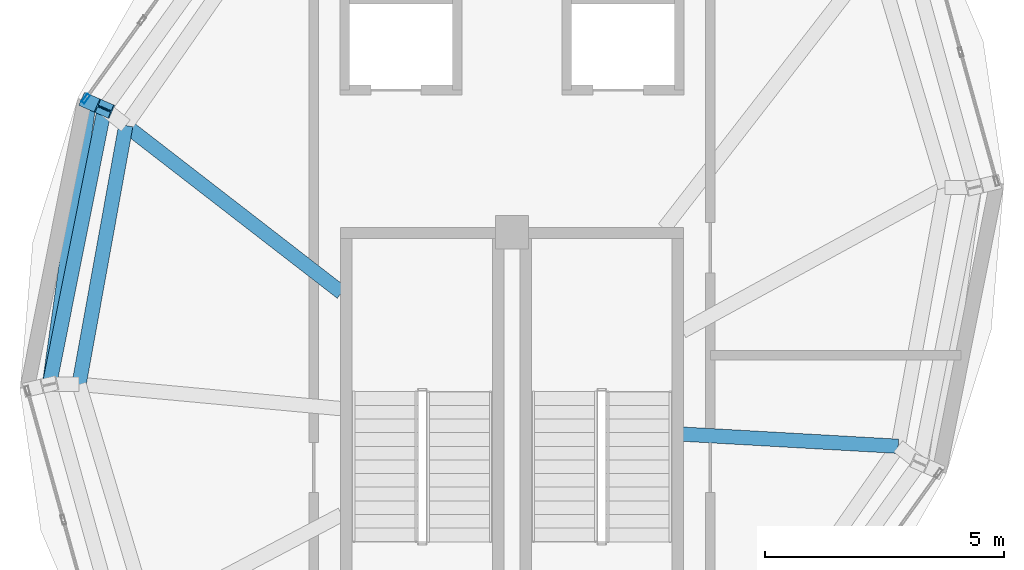
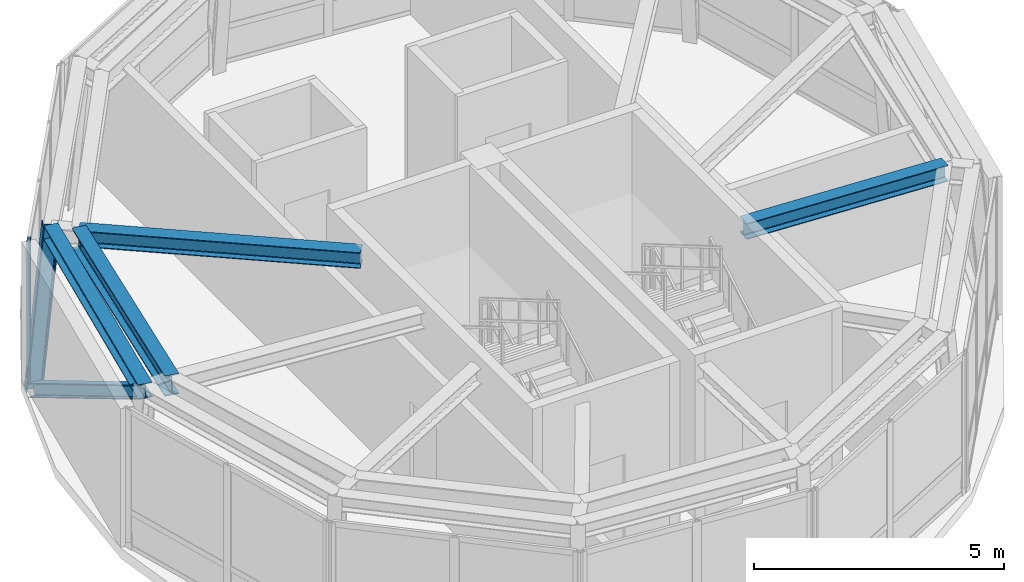
# One storey, part 3 of 9: 4 beams, 3 members, 1 element without a shape of its own.
"""IFC4 building model written with IfcOpenShell, lengths in metres."""

from ifc_helpers import new_model, si_unit, direction, frame, origin, origin_2d, place, context, subcontext, project, spatial, hollow_rectangle, i_section, extrude, material, layer, layer_set, material_profile, profile_set, type_object, element, aggregate, save


model = new_model("IFC4")

# Units and contexts
model_context = context("Model", 3, precision=1e-05, world=origin(), true_north=direction((0.0, 1.0)))
body_context = subcontext(model_context, "Body", "Model", "MODEL_VIEW")
ifc_project = project(units=[si_unit("LENGTHUNIT", "METRE"), si_unit("AREAUNIT", "SQUARE_METRE"), si_unit("VOLUMEUNIT", "CUBIC_METRE"), si_unit("PLANEANGLEUNIT", "RADIAN"), si_unit("MASSUNIT", "GRAM", prefix="KILO"), si_unit("THERMODYNAMICTEMPERATUREUNIT", "KELVIN"), si_unit("POWERUNIT", "WATT")], contexts=[model_context])

# Site, building, storey
site_placement = place(None, origin())
site = spatial("IfcSite", under=ifc_project, at=site_placement, CompositionType="ELEMENT")
building_placement = place(site_placement, origin())
building = spatial("IfcBuilding", under=site, at=building_placement, Name="Ocrelia Relay Tower", CompositionType="ELEMENT")
storey_placement = place(building_placement, frame((0.0, 0.0, 304.0)))
storey = spatial("IfcBuildingStorey", under=building, at=storey_placement, Name="L76", CompositionType="ELEMENT", Elevation=304.0)

# Beams
ifc_material_1 = material(Name="Steel S355", Category="steel")
ifc_material_profile_1 = material_profile(ifc_material_1, i_section(OverallWidth=0.300048828125, OverallDepth=0.35009765625, WebThickness=0.010009765625, FlangeThickness=0.017578125, FilletRadius=0.027099609375, at=origin_2d()), Name="HEA 360")
ifc_profile_set_1 = profile_set([ifc_material_profile_1], Name="Steel S355")
beam_type_1 = type_object("IfcBeamType", Name="BM-HEA360", PredefinedType="SPANDREL", material=ifc_profile_set_1)
beam_1_placement = place(storey_placement, frame((25.47119140625, 29.70849609375, 3.574951171875), z_axis=(-0.195445770651, -0.980714510311, 0.0), x_axis=(0.980714510311, -0.195445770651, 0.0)))
element("IfcBeam", 1, at=beam_1_placement, inside=storey, type_object=beam_type_1, Name="L76 Crown Faceted Ring Beam R04", PredefinedType="SPANDREL", context=body_context, shape_type="SweptSolid", body=[
    extrude(i_section(OverallWidth=0.300048828125, OverallDepth=0.35009765625, WebThickness=0.010009765625, FlangeThickness=0.017578125, FilletRadius=0.027099609375, at=origin_2d()), origin(), (0.0, 0.0, 1.0), 5.883544921875),
])
ifc_material_profile_2 = material_profile(ifc_material_1, i_section(OverallWidth=0.300048828125, OverallDepth=0.389892578125, WebThickness=0.010986328125, FlangeThickness=0.01904296875, FilletRadius=0.027099609375, at=origin_2d()), Name="HEA 400")
ifc_profile_set_2 = profile_set([ifc_material_profile_2], Name="Steel S355")
beam_type_2 = type_object("IfcBeamType", Name="BM-HEA400", PredefinedType="SPANDREL", material=ifc_profile_set_2)
beam_2_placement = place(storey_placement, frame((25.9189453125, 29.35546875, 3.554931640625), z_axis=(0.790765759138, -0.612118872586, 0.0), x_axis=(0.612118872586, 0.790765759138, 0.0)))
element("IfcBeam", 2, at=beam_2_placement, inside=storey, type_object=beam_type_2, Name="L76 Crown Radial Floor Beam 04", PredefinedType="SPANDREL", context=body_context, shape_type="SweptSolid", body=[
    extrude(i_section(OverallWidth=0.300048828125, OverallDepth=0.389892578125, WebThickness=0.010986328125, FlangeThickness=0.01904296875, FilletRadius=0.027099609375, at=origin_2d()), origin(), (0.0, 0.0, 1.0), 5.711181640625),
])
beam_3_placement = place(storey_placement, frame((42.0810546875, 22.64453125, 3.554931640625), z_axis=(-0.998414175796, 0.056295058134, 0.0), x_axis=(-0.056295058134, -0.998414175796, 0.0)))
element("IfcBeam", 3, at=beam_3_placement, inside=storey, type_object=beam_type_2, Name="L76 Crown Radial Floor Beam 10", PredefinedType="SPANDREL", context=body_context, shape_type="SweptSolid", body=[
    extrude(i_section(OverallWidth=0.300048828125, OverallDepth=0.389892578125, WebThickness=0.010986328125, FlangeThickness=0.01904296875, FilletRadius=0.027099609375, at=origin_2d()), origin(), (0.0, 0.0, 1.0), 4.523193359375),
])
ifc_material_profile_3 = material_profile(ifc_material_1, i_section(OverallWidth=0.300048828125, OverallDepth=0.5, WebThickness=0.014404296875, FlangeThickness=0.028076171875, FilletRadius=0.027099609375, at=origin_2d()), Name="HEB 500")
ifc_profile_set_3 = profile_set([ifc_material_profile_3], Name="Steel S355")
beam_type_3 = type_object("IfcBeamType", Name="BM-HEB500", PredefinedType="BEAM", material=ifc_profile_set_3)
beam_4_placement = place(storey_placement, frame((25.9189453125, 29.35546875, 3.5), z_axis=(-0.177869957549, -0.984054001669, 0.0), x_axis=(0.984054001669, -0.177869957549, 0.0)))
element("IfcBeam", 4, at=beam_4_placement, inside=storey, type_object=beam_type_3, Name="L76 Crown Step Perimeter Ring Beam SR04", PredefinedType="BEAM", context=body_context, shape_type="SweptSolid", body=[
    extrude(i_section(OverallWidth=0.300048828125, OverallDepth=0.5, WebThickness=0.014404296875, FlangeThickness=0.028076171875, FilletRadius=0.027099609375, at=origin_2d()), origin(), (0.0, 0.0, 1.0), 5.501220703125),
])

# Curtain wall, member
ifc_material_2 = material(Name="Aluminium and solar-control low-E glass", Category="aluminium")
ifc_layer = layer(ifc_material_2, 0.179931640625, Name="Aluminium and solar-control low-E glass")
ifc_layer_set = layer_set([ifc_layer], Name="Aluminium and solar-control low-E glass")
curtain_wall_type = type_object("IfcCurtainWallType", Name="CW-SYS-CROWN-PT", PredefinedType="NOTDEFINED", material=ifc_layer_set)
curtain_wall_placement = place(storey_placement, origin())
curtain_wall = element("IfcCurtainWall", 5, at=curtain_wall_placement, inside=storey, type_object=curtain_wall_type, Name="L76 Faceted Glass-Point Crown Curtain Wall 03", PredefinedType="NOTDEFINED")
ifc_material_3 = material(Name="Anodised bronze aluminium", Category="aluminium")
ifc_material_profile_4 = material_profile(ifc_material_3, hollow_rectangle(XDim=0.074951171875, YDim=0.199951171875, WallThickness=0.006103515625, at=origin_2d()), Name="CW-MUL-200x75")
ifc_profile_set_4 = profile_set([ifc_material_profile_4], Name="Anodised bronze aluminium")
member_type_1 = type_object("IfcMemberType", Name="CW-SYS-CROWN-PT-MUL", PredefinedType="MULLION", material=ifc_profile_set_4)
member_1_placement = place(storey_placement, frame((25.08056640625, 29.918212890625, 0.0), z_axis=(0.0, 0.0, 1.0), x_axis=(0.811754879976, -0.583998300371, 0.0)))
member_1 = element("IfcMember", 6, at=member_1_placement, type_object=member_type_1, Name="CW-CR mullion 4", PredefinedType="MULLION", context=body_context, shape_type="SweptSolid", body=[
    extrude(hollow_rectangle(XDim=0.074951171875, YDim=0.199951171875, WallThickness=0.006103515625, at=origin_2d()), origin(), (0.0, 0.0, 1.0), 3.389892578125),
])
aggregate(curtain_wall, [member_1])

# Members
ifc_material_profile_5 = material_profile(ifc_material_1, i_section(OverallWidth=0.300048828125, OverallDepth=0.300048828125, WebThickness=0.010986328125, FlangeThickness=0.01904296875, FilletRadius=0.027099609375, at=origin_2d()), Name="HEB 300")
ifc_profile_set_5 = profile_set([ifc_material_profile_5], Name="Steel S355")
member_type_2 = type_object("IfcMemberType", Name="MB-CROWN-DIAG", PredefinedType="BRACE", material=ifc_profile_set_5)
member_2_placement = place(storey_placement, frame((25.150390625, 29.847900390625, -0.25), z_axis=(-0.116973491426, -0.833728904584, 0.539641840451), x_axis=(0.990300693987, -0.138940762519, 0.0)))
element("IfcMember", 7, at=member_2_placement, inside=storey, type_object=member_type_2, Name="L76 Crown Bracing Diagonal CD04", PredefinedType="BRACE", context=body_context, shape_type="SweptSolid", body=[
    extrude(i_section(OverallWidth=0.300048828125, OverallDepth=0.300048828125, WebThickness=0.010986328125, FlangeThickness=0.01904296875, FilletRadius=0.027099609375, at=origin_2d()), origin(), (0.0, 0.0, 1.0), 7.087890625),
])
ifc_material_profile_6 = material_profile(ifc_material_1, i_section(OverallWidth=0.300048828125, OverallDepth=0.340087890625, WebThickness=0.011962890625, FlangeThickness=0.021484375, FilletRadius=0.027099609375, at=origin_2d()), Name="HEB 340")
ifc_profile_set_6 = profile_set([ifc_material_profile_6], Name="Steel S355")
member_type_3 = type_object("IfcMemberType", Name="MB-CROWN-RIB", PredefinedType="STRUT", material=ifc_profile_set_6)
member_3_placement = place(storey_placement, frame((25.150390625, 29.847900390625, -0.25), z_axis=(0.079895310555, -0.034718586246, 0.996198453683), x_axis=(0.398547447211, 0.91714771565, 0.0)))
element("IfcMember", 8, at=member_3_placement, inside=storey, type_object=member_type_3, Name="L76 Crown Faceted Structural Strut Rib CR04", PredefinedType="STRUT", context=body_context, shape_type="SweptSolid", body=[
    extrude(i_section(OverallWidth=0.300048828125, OverallDepth=0.340087890625, WebThickness=0.011962890625, FlangeThickness=0.021484375, FilletRadius=0.027099609375, at=origin_2d()), origin(), (0.0, 0.0, 1.0), 4.015380859375),
])

save(model, "model.ifc")
